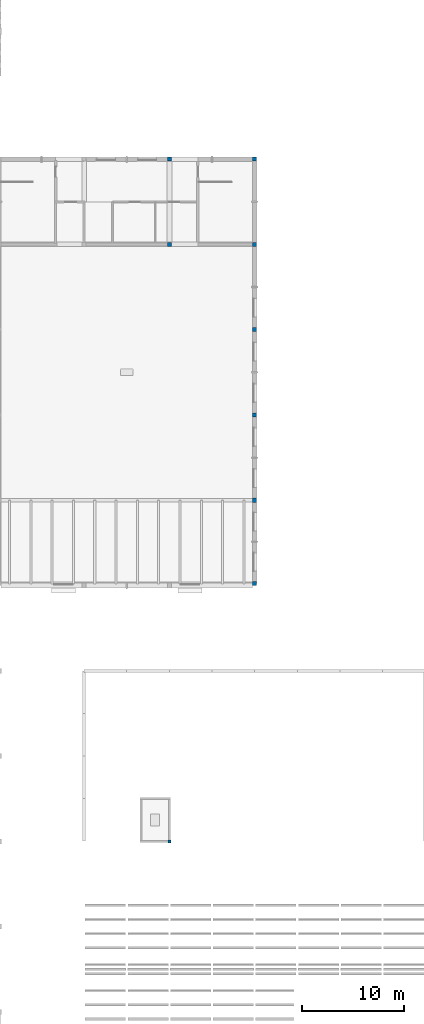
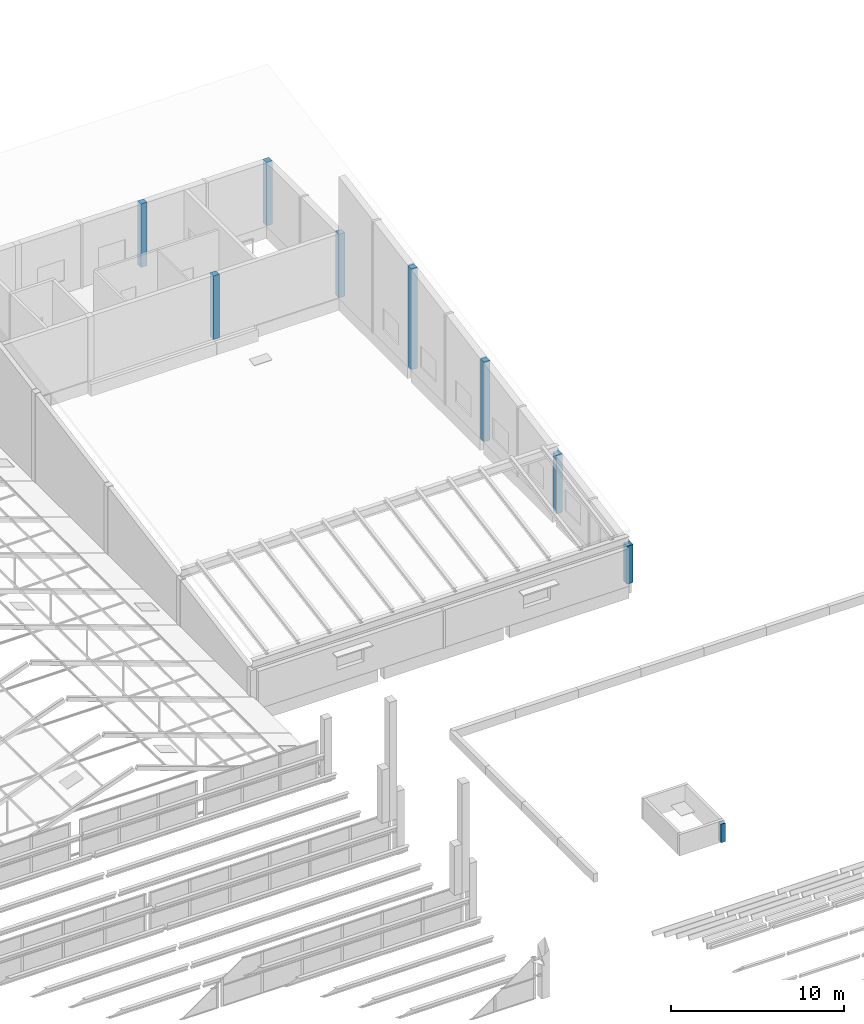
# One storey, part 4 of 116: 9 columns.
"""IFC4 building model written with IfcOpenShell, lengths in metres."""

from ifc_helpers import new_model, si_unit, direction, frame, origin, origin_2d, place, context, subcontext, project, spatial, rectangle, extrude, material, material_profile, profile_set, type_object, element, save


model = new_model("IFC4")

# Units and contexts
model_context = context("Model", 3, precision=1e-05, world=origin(), true_north=direction((0.0, 1.0)))
body_context = subcontext(model_context, "Body", "Model", "MODEL_VIEW")
ifc_project = project(units=[si_unit("LENGTHUNIT", "METRE"), si_unit("AREAUNIT", "SQUARE_METRE"), si_unit("VOLUMEUNIT", "CUBIC_METRE"), si_unit("PLANEANGLEUNIT", "RADIAN"), si_unit("MASSUNIT", "GRAM", prefix="KILO")], contexts=[model_context])

# Site, building, storey
site_placement = place(None, origin())
site = spatial("IfcSite", under=ifc_project, at=site_placement, CompositionType="ELEMENT")
building_placement = place(site_placement, origin())
building = spatial("IfcBuilding", under=site, at=building_placement, Name="Fescue Hill Polytechnic", CompositionType="ELEMENT")
storey_placement = place(building_placement, frame((0.0, 0.0, 13.5)))
storey = spatial("IfcBuildingStorey", under=building, at=storey_placement, Name="L03", CompositionType="ELEMENT", Elevation=13.5)

# Columns
ifc_material = material(Name="Concrete 40 MPa", Category="concrete")
ifc_material_profile_1 = material_profile(ifc_material, rectangle(XDim=0.300048828125, YDim=0.300048828125, at=origin_2d()), Name="RC 300x300")
ifc_profile_set_1 = profile_set([ifc_material_profile_1], Name="Concrete 40 MPa")
column_type_1 = type_object("IfcColumnType", Name="Column RC 300x300", PredefinedType="COLUMN", material=ifc_profile_set_1)
column_1_placement = place(storey_placement, frame((134.39990234375, 33.60009765625, 0.0), z_axis=(0.0, 0.0, 1.0), x_axis=(1.0, 0.0, 0.0)))
element("IfcColumn", 1, at=column_1_placement, inside=storey, type_object=column_type_1, Name="COL-L03-V3-001", PredefinedType="COLUMN", context=body_context, shape_type="SweptSolid", body=[
    extrude(rectangle(XDim=0.300048828125, YDim=0.300048828125, at=origin_2d()), origin(), (0.0, 0.0, 1.0), 1.300048828125),
])
ifc_material_profile_2 = material_profile(ifc_material, rectangle(XDim=0.39990234375, YDim=0.39990234375, at=origin_2d()), Name="RC 400x400")
ifc_profile_set_2 = profile_set([ifc_material_profile_2], Name="Concrete 40 MPa")
column_type_2 = type_object("IfcColumnType", Name="Column RC 400x400", PredefinedType="COLUMN", material=ifc_profile_set_2)
for number, where, z_axis, x_axis, name in (
    (2, (134.39990234375, 92.39990234375, 0.0), (0.0, 0.0, 1.0), (1.0, 0.0, 0.0), "COL-L03-V2-005"),
    (3, (134.39990234375, 100.800048828125, 0.0), (0.0, 0.0, 1.0), (1.0, 0.0, 0.0), "COL-L03-V2-006"),
    (4, (142.800048828125, 92.39990234375, 0.0), (0.0, 0.0, 1.0), (1.0, 0.0, 0.0), "COL-L03-V2-007"),
    (5, (142.800048828125, 100.800048828125, 0.0), (0.0, 0.0, 1.0), (1.0, 0.0, 0.0), "COL-L03-V2-008"),
):
    element("IfcColumn", number, at=place(storey_placement, frame(where, z_axis=z_axis, x_axis=x_axis)), inside=storey, type_object=column_type_2, Name=name, PredefinedType="COLUMN", context=body_context, shape_type="SweptSolid", body=[
        extrude(rectangle(XDim=0.39990234375, YDim=0.39990234375, at=origin_2d()), origin(), (0.0, 0.0, 1.0), 4.5),
    ])
column_2_placement = place(storey_placement, frame((142.800048828125, 59.0, 0.0), z_axis=(0.0, 0.0, 1.0), x_axis=(1.0, 0.0, 0.0)))
element("IfcColumn", 6, at=column_2_placement, inside=storey, type_object=column_type_2, Name="Lecture girder post 1", PredefinedType="COLUMN", context=body_context, shape_type="SweptSolid", body=[
    extrude(rectangle(XDim=0.39990234375, YDim=0.39990234375, at=origin_2d()), origin(), (0.0, 0.0, 1.0), 2.685791015625),
])
column_3_placement = place(storey_placement, frame((142.800048828125, 67.199951171875, 0.0), z_axis=(0.0, 0.0, 1.0), x_axis=(1.0, 0.0, 0.0)))
element("IfcColumn", 7, at=column_3_placement, inside=storey, type_object=column_type_2, Name="Lecture girder post 2", PredefinedType="COLUMN", context=body_context, shape_type="SweptSolid", body=[
    extrude(rectangle(XDim=0.39990234375, YDim=0.39990234375, at=origin_2d()), origin(), (0.0, 0.0, 1.0), 4.14990234375),
])
column_4_placement = place(storey_placement, frame((142.800048828125, 75.60009765625, 0.0), z_axis=(0.0, 0.0, 1.0), x_axis=(1.0, 0.0, 0.0)))
element("IfcColumn", 8, at=column_4_placement, inside=storey, type_object=column_type_2, Name="Lecture girder post 3", PredefinedType="COLUMN", context=body_context, shape_type="SweptSolid", body=[
    extrude(rectangle(XDim=0.39990234375, YDim=0.39990234375, at=origin_2d()), origin(), (0.0, 0.0, 1.0), 5.64990234375),
])
column_5_placement = place(storey_placement, frame((142.800048828125, 84.0, 0.0), z_axis=(0.0, 0.0, 1.0), x_axis=(1.0, 0.0, 0.0)))
element("IfcColumn", 9, at=column_5_placement, inside=storey, type_object=column_type_2, Name="Lecture girder post 4", PredefinedType="COLUMN", context=body_context, shape_type="SweptSolid", body=[
    extrude(rectangle(XDim=0.39990234375, YDim=0.39990234375, at=origin_2d()), origin(), (0.0, 0.0, 1.0), 7.14990234375),
])

save(model, "model.ifc")
